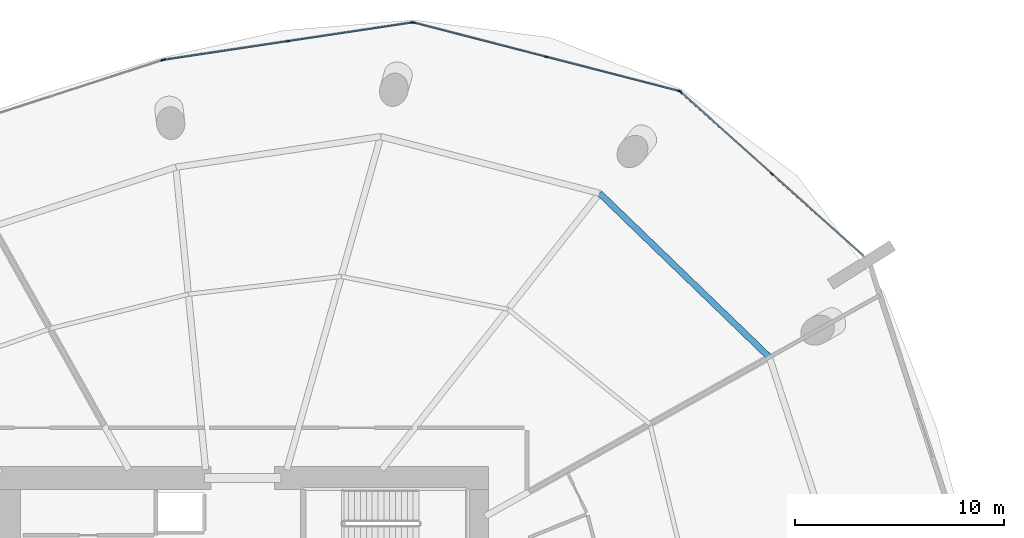
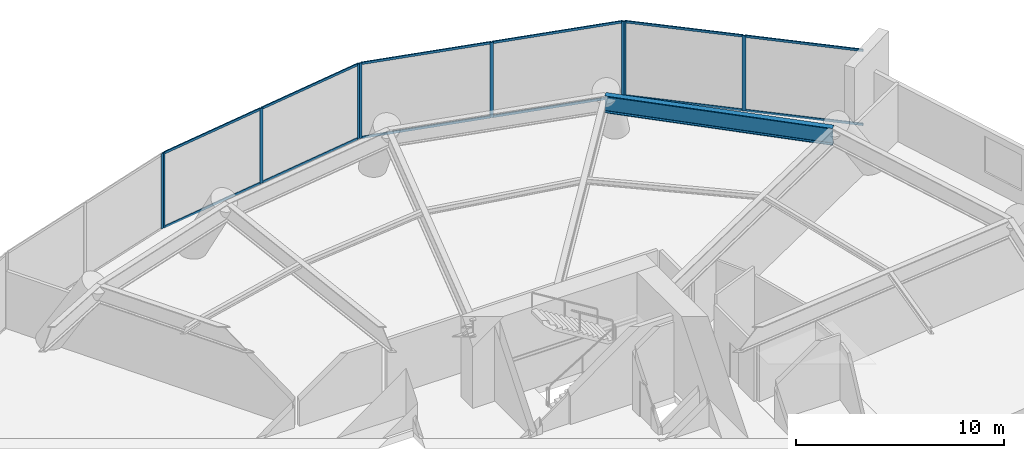
# One storey, part 14 of 21: 21 members, 1 beam, 4 elements without a shape of their own.
"""IFC4 building model written with IfcOpenShell, lengths in metres."""

from ifc_helpers import new_model, si_unit, direction, frame, origin, origin_2d, place, context, subcontext, project, spatial, rectangle, i_section, extrude, material, layer, layer_set, material_profile, profile_set, type_object, element, aggregate, save


model = new_model("IFC4")

# Units and contexts
model_context = context("Model", 3, precision=1e-05, world=origin(), true_north=direction((0.0, 1.0)))
body_context = subcontext(model_context, "Body", "Model", "MODEL_VIEW")
ifc_project = project(units=[si_unit("LENGTHUNIT", "METRE"), si_unit("AREAUNIT", "SQUARE_METRE"), si_unit("VOLUMEUNIT", "CUBIC_METRE"), si_unit("PLANEANGLEUNIT", "RADIAN"), si_unit("MASSUNIT", "GRAM", prefix="KILO")], contexts=[model_context])

# Site, building, storey
site_placement = place(None, origin())
site = spatial("IfcSite", under=ifc_project, at=site_placement, CompositionType="ELEMENT")
building_placement = place(site_placement, origin())
building = spatial("IfcBuilding", under=site, at=building_placement, Name="Kazma Halo Residences", CompositionType="ELEMENT")
storey_placement = place(building_placement, frame((0.0, 0.0, 21.60009765625)))
storey = spatial("IfcBuildingStorey", under=building, at=storey_placement, Name="L04", CompositionType="ELEMENT", Elevation=21.60009765625)

# Beam
ifc_material_1 = material(Name="Steel S355", Category="steel")
ifc_material_profile_1 = material_profile(ifc_material_1, i_section(OverallWidth=0.300048828125, OverallDepth=1.0, WebThickness=0.01904296875, FlangeThickness=0.0400390625, FilletRadius=0.02587890625, at=origin_2d()), Name="W1000x371")
ifc_profile_set_1 = profile_set([ifc_material_profile_1], Name="Steel S355")
beam_type = type_object("IfcBeamType", Name="BM-TRANS-W1000B", PredefinedType="BEAM", material=ifc_profile_set_1)
beam_placement = place(storey_placement, frame((73.56494140625, 56.317138671875, 3.89990234375), z_axis=(-0.719336506967, 0.694661780829, 0.0), x_axis=(-0.694661780829, -0.719336506967, 0.0)))
element("IfcBeam", 1, at=beam_placement, inside=storey, type_object=beam_type, Name="L04 perimeter ring beam 01", PredefinedType="BEAM", context=body_context, shape_type="SweptSolid", body=[
    extrude(i_section(OverallWidth=0.300048828125, OverallDepth=1.0, WebThickness=0.01904296875, FlangeThickness=0.0400390625, FilletRadius=0.02587890625, at=origin_2d()), origin(), (0.0, 0.0, 1.0), 11.269775390625),
])

# Curtain wall, members
ifc_material_2 = material(Name="Aluminium AW-6063 T6 and Triple-Silver Low-E Glass", Category="aluminium")
ifc_layer = layer(ifc_material_2, 0.179931640625)
ifc_layer_set = layer_set([ifc_layer], Name="Aluminium AW-6063 T6 and Triple-Silver Low-E Glass")
curtain_wall_type = type_object("IfcCurtainWallType", Name="CW-SYS-1", PredefinedType="NOTDEFINED", material=ifc_layer_set)
curtain_wall_1_placement = place(storey_placement, origin())
curtain_wall_1 = element("IfcCurtainWall", 2, at=curtain_wall_1_placement, inside=storey, type_object=curtain_wall_type, Name="L04 unitised curtain wall B01", PredefinedType="NOTDEFINED")
ifc_material_3 = material(Name="Aluminium AW-6063 T6", Category="aluminium")
ifc_material_profile_2 = material_profile(ifc_material_3, rectangle(XDim=0.06494140625, YDim=0.179931640625, at=origin_2d()), Name="CWM-65x180")
ifc_profile_set_2 = profile_set([ifc_material_profile_2], Name="Aluminium AW-6063 T6")
member_type_1 = type_object("IfcMemberType", Name="CW-SYS-1-MUL", PredefinedType="MULLION", material=ifc_profile_set_2)
member_1_placement = place(storey_placement, frame((73.689208984375, 65.070556640625, 0.0), z_axis=(0.0, 0.0, 1.0), x_axis=(-0.667847908139, -0.744297770784, 0.0)))
member_1 = element("IfcMember", 3, at=member_1_placement, type_object=member_type_1, Name="CWS-1 mullion 2", PredefinedType="MULLION", context=body_context, shape_type="SweptSolid", body=[
    extrude(rectangle(XDim=0.06494140625, YDim=0.179931640625, at=origin_2d()), origin(), (0.0, 0.0, 1.0), 4.39990234375),
])
member_2_placement = place(storey_placement, frame((69.319580078125, 68.9912109375, 0.0), z_axis=(0.0, 0.0, 1.0), x_axis=(-0.667847908139, -0.744297770784, 0.0)))
member_2 = element("IfcMember", 4, at=member_2_placement, type_object=member_type_1, Name="CWS-1 mullion 3", PredefinedType="MULLION", context=body_context, shape_type="SweptSolid", body=[
    extrude(rectangle(XDim=0.06494140625, YDim=0.179931640625, at=origin_2d()), origin(), (0.0, 0.0, 1.0), 4.39990234375),
])

curtain_wall_2_placement = place(storey_placement, origin())
curtain_wall_2 = element("IfcCurtainWall", 5, at=curtain_wall_2_placement, inside=storey, type_object=curtain_wall_type, Name="L04 unitised curtain wall B02", PredefinedType="NOTDEFINED")
member_3_placement = place(storey_placement, frame((69.263916015625, 69.02099609375, 0.0), z_axis=(0.0, 0.0, 1.0), x_axis=(-0.249727103953, -0.96831625699, 0.0)))
member_3 = element("IfcMember", 6, at=member_3_placement, type_object=member_type_1, Name="CWS-1 mullion 1", PredefinedType="MULLION", context=body_context, shape_type="SweptSolid", body=[
    extrude(rectangle(XDim=0.06494140625, YDim=0.179931640625, at=origin_2d()), origin(), (0.0, 0.0, 1.0), 4.39990234375),
])
member_4_placement = place(storey_placement, frame((62.920654296875, 70.656982421875, 0.0), z_axis=(0.0, 0.0, 1.0), x_axis=(-0.249727103953, -0.96831625699, 0.0)))
member_4 = element("IfcMember", 7, at=member_4_placement, type_object=member_type_1, Name="CWS-1 mullion 2", PredefinedType="MULLION", context=body_context, shape_type="SweptSolid", body=[
    extrude(rectangle(XDim=0.06494140625, YDim=0.179931640625, at=origin_2d()), origin(), (0.0, 0.0, 1.0), 4.39990234375),
])
member_5_placement = place(storey_placement, frame((56.5771484375, 72.29296875, 0.0), z_axis=(0.0, 0.0, 1.0), x_axis=(-0.249727103953, -0.96831625699, 0.0)))
member_5 = element("IfcMember", 8, at=member_5_placement, type_object=member_type_1, Name="CWS-1 mullion 3", PredefinedType="MULLION", context=body_context, shape_type="SweptSolid", body=[
    extrude(rectangle(XDim=0.06494140625, YDim=0.179931640625, at=origin_2d()), origin(), (0.0, 0.0, 1.0), 4.39990234375),
])

curtain_wall_3_placement = place(storey_placement, origin())
curtain_wall_3 = element("IfcCurtainWall", 9, at=curtain_wall_3_placement, inside=storey, type_object=curtain_wall_type, Name="L04 unitised curtain wall B03", PredefinedType="NOTDEFINED")
member_6_placement = place(storey_placement, frame((56.513671875, 72.29638671875, 0.0), z_axis=(0.0, 0.0, 1.0), x_axis=(0.148548966342, -0.988905053379, 0.0)))
member_6 = element("IfcMember", 10, at=member_6_placement, type_object=member_type_1, Name="CWS-1 mullion 1", PredefinedType="MULLION", context=body_context, shape_type="SweptSolid", body=[
    extrude(rectangle(XDim=0.06494140625, YDim=0.179931640625, at=origin_2d()), origin(), (0.0, 0.0, 1.0), 4.39990234375),
])
member_7_placement = place(storey_placement, frame((50.585693359375, 71.40576171875, 0.0), z_axis=(0.0, 0.0, 1.0), x_axis=(0.148548966342, -0.988905053379, 0.0)))
member_7 = element("IfcMember", 11, at=member_7_placement, type_object=member_type_1, Name="CWS-1 mullion 2", PredefinedType="MULLION", context=body_context, shape_type="SweptSolid", body=[
    extrude(rectangle(XDim=0.06494140625, YDim=0.179931640625, at=origin_2d()), origin(), (0.0, 0.0, 1.0), 4.39990234375),
])
member_8_placement = place(storey_placement, frame((44.65771484375, 70.515380859375, 0.0), z_axis=(0.0, 0.0, 1.0), x_axis=(0.148548966342, -0.988905053379, 0.0)))
member_8 = element("IfcMember", 12, at=member_8_placement, type_object=member_type_1, Name="CWS-1 mullion 3", PredefinedType="MULLION", context=body_context, shape_type="SweptSolid", body=[
    extrude(rectangle(XDim=0.06494140625, YDim=0.179931640625, at=origin_2d()), origin(), (0.0, 0.0, 1.0), 4.39990234375),
])

# Curtain wall, member
curtain_wall_4_placement = place(storey_placement, origin())
curtain_wall_4 = element("IfcCurtainWall", 13, at=curtain_wall_4_placement, inside=storey, type_object=curtain_wall_type, Name="L04 unitised curtain wall B04", PredefinedType="NOTDEFINED")
member_9_placement = place(storey_placement, frame((44.5947265625, 70.50048828125, 0.0), z_axis=(0.0, 0.0, 1.0), x_axis=(0.309017239211, -0.951056436743, 0.0)))
member_9 = element("IfcMember", 14, at=member_9_placement, type_object=member_type_1, Name="CWS-1 mullion 1", PredefinedType="MULLION", context=body_context, shape_type="SweptSolid", body=[
    extrude(rectangle(XDim=0.06494140625, YDim=0.179931640625, at=origin_2d()), origin(), (0.0, 0.0, 1.0), 4.39990234375),
])
aggregate(curtain_wall_4, [member_9])

# Member
ifc_material_profile_3 = material_profile(ifc_material_3, rectangle(XDim=0.06494140625, YDim=0.135009765625, at=origin_2d()), Name="CWT-65x135")
ifc_profile_set_3 = profile_set([ifc_material_profile_3], Name="Aluminium AW-6063 T6")
member_type_2 = type_object("IfcMemberType", Name="CW-SYS-1-TRN", PredefinedType="USERDEFINED", material=ifc_profile_set_3)
member_10_placement = place(storey_placement, frame((78.034423828125, 61.171630859375, 0.032470703125), z_axis=(-0.744299097196, 0.667846429887, 0.0), x_axis=(-0.667846429887, -0.744299097196, 0.0)))
member_10 = element("IfcMember", 15, at=member_10_placement, type_object=member_type_2, Name="CWS-1 transom 1.1", ObjectType="TRANSOM", PredefinedType="USERDEFINED", context=body_context, shape_type="SweptSolid", body=[
    extrude(rectangle(XDim=0.06494140625, YDim=0.135009765625, at=origin_2d()), origin(), (0.0, 0.0, 1.0), 5.805419921875),
])

member_11_placement = place(storey_placement, frame((78.034423828125, 61.171630859375, 4.367431640625), z_axis=(-0.744299097196, 0.667846429887, 0.0), x_axis=(-0.667846429887, -0.744299097196, 0.0)))
member_11 = element("IfcMember", 16, at=member_11_placement, type_object=member_type_2, Name="CWS-1 transom 1.2", ObjectType="TRANSOM", PredefinedType="USERDEFINED", context=body_context, shape_type="SweptSolid", body=[
    extrude(rectangle(XDim=0.06494140625, YDim=0.135009765625, at=origin_2d()), origin(), (0.0, 0.0, 1.0), 5.805419921875),
])

member_12_placement = place(storey_placement, frame((73.6650390625, 65.09228515625, 0.032470703125), z_axis=(-0.744317852823, 0.667825526592, 0.0), x_axis=(-0.667825526592, -0.744317852823, 0.0)))
member_12 = element("IfcMember", 17, at=member_12_placement, type_object=member_type_2, Name="CWS-1 transom 2.1", ObjectType="TRANSOM", PredefinedType="USERDEFINED", context=body_context, shape_type="SweptSolid", body=[
    extrude(rectangle(XDim=0.06494140625, YDim=0.135009765625, at=origin_2d()), origin(), (0.0, 0.0, 1.0), 5.8056640625),
])

member_13_placement = place(storey_placement, frame((73.6650390625, 65.09228515625, 4.367431640625), z_axis=(-0.744317852823, 0.667825526592, 0.0), x_axis=(-0.667825526592, -0.744317852823, 0.0)))
member_13 = element("IfcMember", 18, at=member_13_placement, type_object=member_type_2, Name="CWS-1 transom 2.2", ObjectType="TRANSOM", PredefinedType="USERDEFINED", context=body_context, shape_type="SweptSolid", body=[
    extrude(rectangle(XDim=0.06494140625, YDim=0.135009765625, at=origin_2d()), origin(), (0.0, 0.0, 1.0), 5.8056640625),
])

aggregate(curtain_wall_1, [member_1, member_2, member_10, member_11, member_12, member_13])

member_14_placement = place(storey_placement, frame((69.232421875, 69.029296875, 0.032470703125), z_axis=(-0.968317854782, 0.249720908437, 0.0), x_axis=(-0.249720908437, -0.968317854782, 0.0)))
member_14 = element("IfcMember", 19, at=member_14_placement, type_object=member_type_2, Name="CWS-1 transom 1.1", ObjectType="TRANSOM", PredefinedType="USERDEFINED", context=body_context, shape_type="SweptSolid", body=[
    extrude(rectangle(XDim=0.06494140625, YDim=0.135009765625, at=origin_2d()), origin(), (0.0, 0.0, 1.0), 6.48583984375),
])

member_15_placement = place(storey_placement, frame((69.232421875, 69.029296875, 4.367431640625), z_axis=(-0.968317854782, 0.249720908437, 0.0), x_axis=(-0.249720908437, -0.968317854782, 0.0)))
member_15 = element("IfcMember", 20, at=member_15_placement, type_object=member_type_2, Name="CWS-1 transom 1.2", ObjectType="TRANSOM", PredefinedType="USERDEFINED", context=body_context, shape_type="SweptSolid", body=[
    extrude(rectangle(XDim=0.06494140625, YDim=0.135009765625, at=origin_2d()), origin(), (0.0, 0.0, 1.0), 6.48583984375),
])

member_16_placement = place(storey_placement, frame((62.88916015625, 70.665283203125, 0.032470703125), z_axis=(-0.968320202065, 0.249711806433, 0.0), x_axis=(-0.249711806433, -0.968320202065, 0.0)))
member_16 = element("IfcMember", 21, at=member_16_placement, type_object=member_type_2, Name="CWS-1 transom 2.1", ObjectType="TRANSOM", PredefinedType="USERDEFINED", context=body_context, shape_type="SweptSolid", body=[
    extrude(rectangle(XDim=0.06494140625, YDim=0.135009765625, at=origin_2d()), origin(), (0.0, 0.0, 1.0), 6.486083984375),
])

member_17_placement = place(storey_placement, frame((62.88916015625, 70.665283203125, 4.367431640625), z_axis=(-0.968320202065, 0.249711806433, 0.0), x_axis=(-0.249711806433, -0.968320202065, 0.0)))
member_17 = element("IfcMember", 22, at=member_17_placement, type_object=member_type_2, Name="CWS-1 transom 2.2", ObjectType="TRANSOM", PredefinedType="USERDEFINED", context=body_context, shape_type="SweptSolid", body=[
    extrude(rectangle(XDim=0.06494140625, YDim=0.135009765625, at=origin_2d()), origin(), (0.0, 0.0, 1.0), 6.486083984375),
])

aggregate(curtain_wall_2, [member_3, member_4, member_5, member_14, member_15, member_16, member_17])

member_18_placement = place(storey_placement, frame((56.4814453125, 72.29150390625, 0.032470703125), z_axis=(-0.988903408536, -0.14855991581, 0.0), x_axis=(0.14855991581, -0.988903408536, 0.0)))
member_18 = element("IfcMember", 23, at=member_18_placement, type_object=member_type_2, Name="CWS-1 transom 1.1", ObjectType="TRANSOM", PredefinedType="USERDEFINED", context=body_context, shape_type="SweptSolid", body=[
    extrude(rectangle(XDim=0.06494140625, YDim=0.135009765625, at=origin_2d()), origin(), (0.0, 0.0, 1.0), 5.92919921875),
])

member_19_placement = place(storey_placement, frame((56.4814453125, 72.29150390625, 4.367431640625), z_axis=(-0.988903408536, -0.14855991581, 0.0), x_axis=(0.14855991581, -0.988903408536, 0.0)))
member_19 = element("IfcMember", 24, at=member_19_placement, type_object=member_type_2, Name="CWS-1 transom 1.2", ObjectType="TRANSOM", PredefinedType="USERDEFINED", context=body_context, shape_type="SweptSolid", body=[
    extrude(rectangle(XDim=0.06494140625, YDim=0.135009765625, at=origin_2d()), origin(), (0.0, 0.0, 1.0), 5.92919921875),
])

member_20_placement = place(storey_placement, frame((50.553466796875, 71.40087890625, 0.032470703125), z_axis=(-0.988909456852, -0.148519649035, 0.0), x_axis=(0.148519649035, -0.988909456852, 0.0)))
member_20 = element("IfcMember", 25, at=member_20_placement, type_object=member_type_2, Name="CWS-1 transom 2.1", ObjectType="TRANSOM", PredefinedType="USERDEFINED", context=body_context, shape_type="SweptSolid", body=[
    extrude(rectangle(XDim=0.06494140625, YDim=0.135009765625, at=origin_2d()), origin(), (0.0, 0.0, 1.0), 5.92919921875),
])

member_21_placement = place(storey_placement, frame((50.553466796875, 71.40087890625, 4.367431640625), z_axis=(-0.988909456852, -0.148519649035, 0.0), x_axis=(0.148519649035, -0.988909456852, 0.0)))
member_21 = element("IfcMember", 26, at=member_21_placement, type_object=member_type_2, Name="CWS-1 transom 2.2", ObjectType="TRANSOM", PredefinedType="USERDEFINED", context=body_context, shape_type="SweptSolid", body=[
    extrude(rectangle(XDim=0.06494140625, YDim=0.135009765625, at=origin_2d()), origin(), (0.0, 0.0, 1.0), 5.92919921875),
])

aggregate(curtain_wall_3, [member_6, member_7, member_8, member_18, member_19, member_20, member_21])

save(model, "model.ifc")
